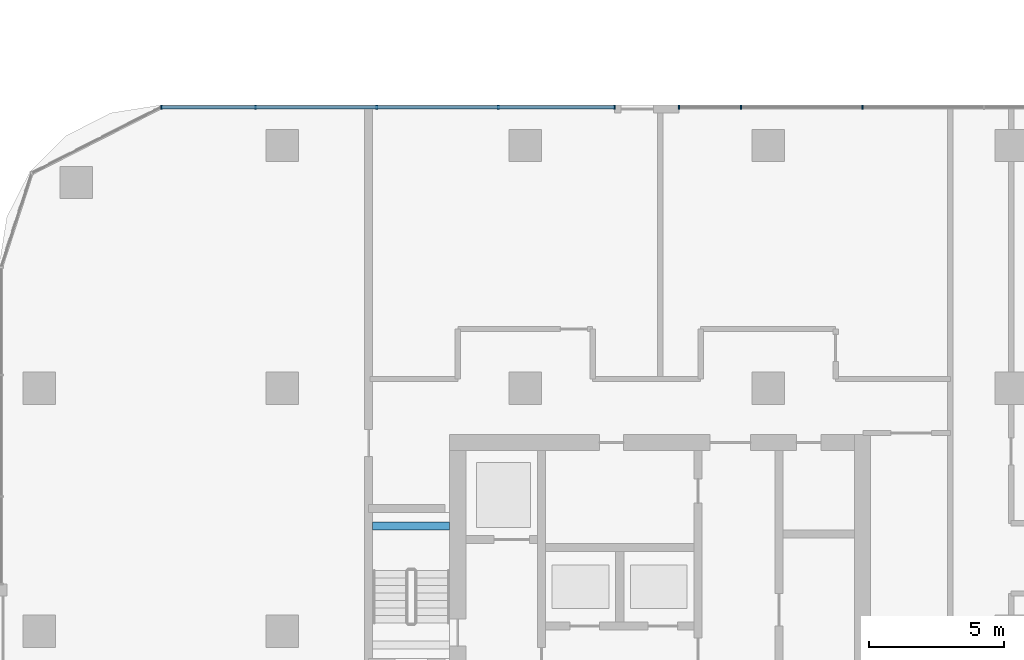
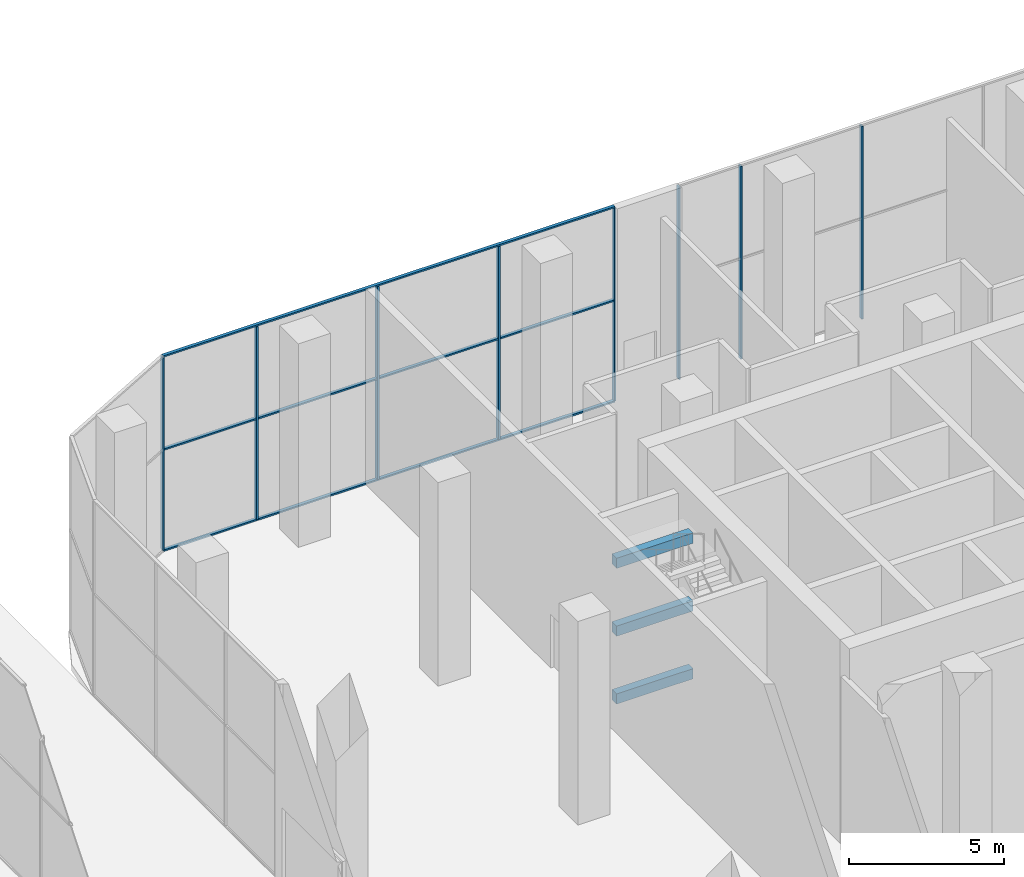
# One storey, part 16 of 54: 11 members, 3 beams, 2 elements without a shape of their own.
"""IFC4 building model written with IfcOpenShell, lengths in metres."""

from ifc_helpers import new_model, si_unit, direction, frame, origin, origin_2d, place, context, subcontext, project, spatial, rectangle, extrude, material, material_profile, profile_set, type_object, element, aggregate, save


model = new_model("IFC4")

# Units and contexts
model_context = context("Model", 3, precision=1e-05, world=origin(), true_north=direction((0.0, 1.0)))
body_context = subcontext(model_context, "Body", "Model", "MODEL_VIEW")
ifc_project = project(units=[si_unit("LENGTHUNIT", "METRE"), si_unit("AREAUNIT", "SQUARE_METRE"), si_unit("VOLUMEUNIT", "CUBIC_METRE"), si_unit("PLANEANGLEUNIT", "RADIAN"), si_unit("MASSUNIT", "GRAM", prefix="KILO")], contexts=[model_context])

# Site, building, storey
site_placement = place(None, origin())
site = spatial("IfcSite", under=ifc_project, at=site_placement, CompositionType="ELEMENT")
building_placement = place(site_placement, origin())
building = spatial("IfcBuilding", under=site, at=building_placement, Name="Ogive Portal Towers", CompositionType="ELEMENT")
storey_placement = place(building_placement, origin())
storey = spatial("IfcBuildingStorey", under=building, at=storey_placement, Name="L00", CompositionType="ELEMENT", Elevation=0.0)

# Beams
ifc_material_1 = material(Name="Concrete C40/50", Category="concrete")
ifc_material_profile_1 = material_profile(ifc_material_1, rectangle(XDim=0.300048828125, YDim=0.39990234375, at=origin_2d()), Name="RC 300x400")
ifc_profile_set_1 = profile_set([ifc_material_profile_1], Name="Concrete C40/50")
beam_type = type_object("IfcBeamType", Name="BEAM RC 300x400", PredefinedType="BEAM", material=ifc_profile_set_1)
for number, where, z_axis, x_axis, name in (
    (1, (125.85009765625, 34.39990234375, 0.933349609375), (1.0, 0.0, 0.0), (0.0, 1.0, 0.0), "Landing beam L00"),
    (2, (125.85009765625, 34.39990234375, 3.60009765625), (1.0, 0.0, 0.0), (0.0, 1.0, 0.0), "Landing beam L00"),
    (3, (125.85009765625, 34.39990234375, 6.2666015625), (1.0, 0.0, 0.0), (0.0, 1.0, 0.0), "Landing beam L00"),
):
    element("IfcBeam", number, at=place(storey_placement, frame(where, z_axis=z_axis, x_axis=x_axis)), inside=storey, type_object=beam_type, Name=name, PredefinedType="BEAM", context=body_context, shape_type="SweptSolid", body=[
        extrude(rectangle(XDim=0.300048828125, YDim=0.39990234375, at=origin_2d()), origin(), (0.0, 0.0, 1.0), 2.849853515625),
    ])

# Curtain wall, members
ifc_material_2 = material(Name="Glass, clear low-iron insulated glazing", Category="glass")
curtain_wall_type = type_object("IfcCurtainWallType", Name="CW PODIUM SHOPFRONT", PredefinedType="NOTDEFINED", material=ifc_material_2)
curtain_wall_1_placement = place(storey_placement, origin())
curtain_wall_1 = element("IfcCurtainWall", 4, at=curtain_wall_1_placement, inside=storey, type_object=curtain_wall_type, Name="B:L00:f08:cw0", PredefinedType="NOTDEFINED")
ifc_material_3 = material(Name="Aluminium 6063 anodised", Category="aluminium")
ifc_material_profile_2 = material_profile(ifc_material_3, rectangle(XDim=0.159912109375, YDim=0.06005859375, at=origin_2d()), Name="AL 60x160")
ifc_profile_set_2 = profile_set([ifc_material_profile_2], Name="Aluminium 6063 anodised")
member_type_1 = type_object("IfcMemberType", Name="CW MULLION 60x160", PredefinedType="MULLION", material=ifc_profile_set_2)
member_1_placement = place(storey_placement, frame((144.0, 49.919921875, 0.06005859375), z_axis=(0.0, 0.0, 1.0), x_axis=(0.0, -1.0, 0.0)))
member_1 = element("IfcMember", 5, at=member_1_placement, type_object=member_type_1, Name="mullion", PredefinedType="MULLION", context=body_context, shape_type="SweptSolid", body=[
    extrude(rectangle(XDim=0.159912109375, YDim=0.06005859375, at=origin_2d()), origin(), (0.0, 0.0, 1.0), 7.579833984375),
])
member_2_placement = place(storey_placement, frame((139.5, 49.919921875, 0.06005859375), z_axis=(0.0, 0.0, 1.0), x_axis=(0.0, -1.0, 0.0)))
member_2 = element("IfcMember", 6, at=member_2_placement, type_object=member_type_1, Name="mullion", PredefinedType="MULLION", context=body_context, shape_type="SweptSolid", body=[
    extrude(rectangle(XDim=0.159912109375, YDim=0.06005859375, at=origin_2d()), origin(), (0.0, 0.0, 1.0), 7.579833984375),
])
member_3_placement = place(storey_placement, frame((137.2021484375, 49.919921875, 0.06005859375), z_axis=(0.0, 0.0, 1.0), x_axis=(0.0, -1.0, 0.0)))
member_3 = element("IfcMember", 7, at=member_3_placement, type_object=member_type_1, Name="mullion", PredefinedType="MULLION", context=body_context, shape_type="SweptSolid", body=[
    extrude(rectangle(XDim=0.159912109375, YDim=0.06005859375, at=origin_2d()), origin(), (0.0, 0.0, 1.0), 7.579833984375),
])
aggregate(curtain_wall_1, [member_1, member_2, member_3])

curtain_wall_2_placement = place(storey_placement, origin())
curtain_wall_2 = element("IfcCurtainWall", 8, at=curtain_wall_2_placement, inside=storey, type_object=curtain_wall_type, Name="B:L00:f08:cw1", PredefinedType="NOTDEFINED")
member_4_placement = place(storey_placement, frame((134.804443359375, 49.919921875, 0.06005859375), z_axis=(0.0, 0.0, 1.0), x_axis=(0.0, -1.0, 0.0)))
member_4 = element("IfcMember", 9, at=member_4_placement, type_object=member_type_1, Name="mullion", PredefinedType="MULLION", context=body_context, shape_type="SweptSolid", body=[
    extrude(rectangle(XDim=0.159912109375, YDim=0.06005859375, at=origin_2d()), origin(), (0.0, 0.0, 1.0), 7.579833984375),
])
member_5_placement = place(storey_placement, frame((130.5, 49.919921875, 0.06005859375), z_axis=(0.0, 0.0, 1.0), x_axis=(0.0, -1.0, 0.0)))
member_5 = element("IfcMember", 10, at=member_5_placement, type_object=member_type_1, Name="mullion", PredefinedType="MULLION", context=body_context, shape_type="SweptSolid", body=[
    extrude(rectangle(XDim=0.159912109375, YDim=0.06005859375, at=origin_2d()), origin(), (0.0, 0.0, 1.0), 7.579833984375),
])
member_6_placement = place(storey_placement, frame((126.0, 49.919921875, 0.06005859375), z_axis=(0.0, 0.0, 1.0), x_axis=(0.0, -1.0, 0.0)))
member_6 = element("IfcMember", 11, at=member_6_placement, type_object=member_type_1, Name="mullion", PredefinedType="MULLION", context=body_context, shape_type="SweptSolid", body=[
    extrude(rectangle(XDim=0.159912109375, YDim=0.06005859375, at=origin_2d()), origin(), (0.0, 0.0, 1.0), 7.579833984375),
])
member_7_placement = place(storey_placement, frame((121.5, 49.919921875, 0.06005859375), z_axis=(0.0, 0.0, 1.0), x_axis=(0.0, -1.0, 0.0)))
member_7 = element("IfcMember", 12, at=member_7_placement, type_object=member_type_1, Name="mullion", PredefinedType="MULLION", context=body_context, shape_type="SweptSolid", body=[
    extrude(rectangle(XDim=0.159912109375, YDim=0.06005859375, at=origin_2d()), origin(), (0.0, 0.0, 1.0), 7.579833984375),
])
member_8_placement = place(storey_placement, frame((118.019287109375, 49.919921875, 0.06005859375), z_axis=(0.0, 0.0, 1.0), x_axis=(0.0, -1.0, 0.0)))
member_8 = element("IfcMember", 13, at=member_8_placement, type_object=member_type_1, Name="mullion", PredefinedType="MULLION", context=body_context, shape_type="SweptSolid", body=[
    extrude(rectangle(XDim=0.159912109375, YDim=0.06005859375, at=origin_2d()), origin(), (0.0, 0.0, 1.0), 7.579833984375),
])
ifc_material_profile_3 = material_profile(ifc_material_3, rectangle(XDim=0.1201171875, YDim=0.06005859375, at=origin_2d()), Name="AL 120x60")
ifc_profile_set_3 = profile_set([ifc_material_profile_3], Name="Aluminium 6063 anodised")
member_type_2 = type_object("IfcMemberType", Name="CW TRANSOM 60x120", PredefinedType="USERDEFINED", material=ifc_profile_set_3)
member_9_placement = place(storey_placement, frame((134.804443359375, 49.919921875, 0.030029296875), z_axis=(-1.0, 0.0, 0.0), x_axis=(0.0, -1.0, 0.0)))
member_9 = element("IfcMember", 14, at=member_9_placement, type_object=member_type_2, Name="transom", ObjectType="TRANSOM", PredefinedType="USERDEFINED", context=body_context, shape_type="SweptSolid", body=[
    extrude(rectangle(XDim=0.1201171875, YDim=0.06005859375, at=origin_2d()), origin(), (0.0, 0.0, 1.0), 16.78515625),
])
member_10_placement = place(storey_placement, frame((134.804443359375, 49.919921875, 4.0), z_axis=(-1.0, 0.0, 0.0), x_axis=(0.0, -1.0, 0.0)))
member_10 = element("IfcMember", 15, at=member_10_placement, type_object=member_type_2, Name="transom", ObjectType="TRANSOM", PredefinedType="USERDEFINED", context=body_context, shape_type="SweptSolid", body=[
    extrude(rectangle(XDim=0.1201171875, YDim=0.06005859375, at=origin_2d()), origin(), (0.0, 0.0, 1.0), 16.78515625),
])
member_11_placement = place(storey_placement, frame((134.804443359375, 49.919921875, 7.669921875), z_axis=(-1.0, 0.0, 0.0), x_axis=(0.0, -1.0, 0.0)))
member_11 = element("IfcMember", 16, at=member_11_placement, type_object=member_type_2, Name="transom", ObjectType="TRANSOM", PredefinedType="USERDEFINED", context=body_context, shape_type="SweptSolid", body=[
    extrude(rectangle(XDim=0.1201171875, YDim=0.06005859375, at=origin_2d()), origin(), (0.0, 0.0, 1.0), 16.78515625),
])
aggregate(curtain_wall_2, [member_9, member_10, member_11, member_4, member_5, member_6, member_7, member_8])

save(model, "model.ifc")
